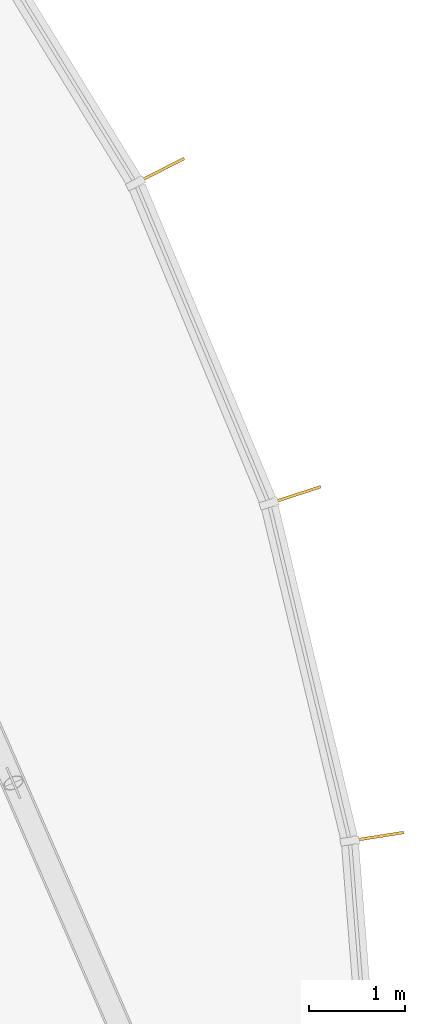
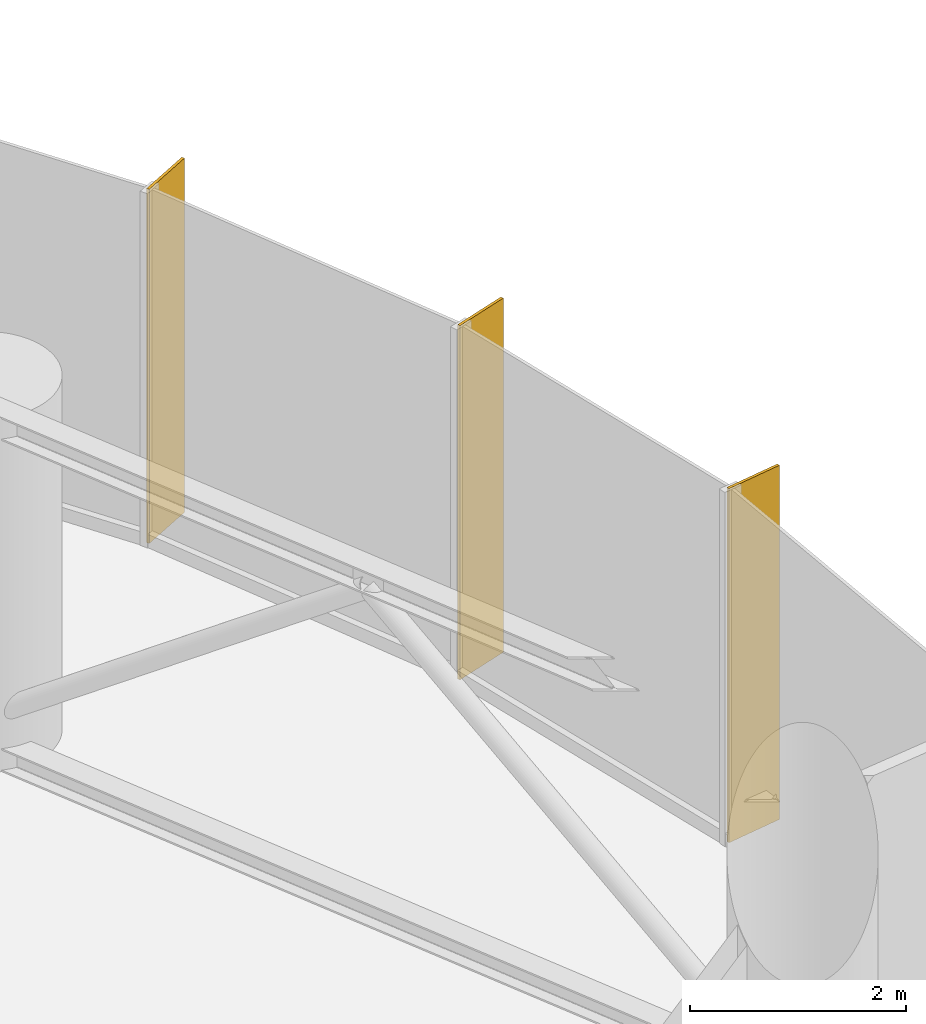
# One storey, part 42 of 42: 3 shading devices.
"""IFC4 building model written with IfcOpenShell, lengths in metres."""

from ifc_helpers import new_model, si_unit, direction, frame, origin, origin_2d, place, context, subcontext, project, spatial, rectangle, extrude, source, transform, mapped, material, material_profile, profile_set, type_object, element, save


model = new_model("IFC4")

# Units and contexts
model_context = context("Model", 3, precision=1e-05, world=origin(), true_north=direction((0.0, 1.0)))
body_context = subcontext(model_context, "Body", "Model", "MODEL_VIEW")
ifc_project = project(units=[si_unit("LENGTHUNIT", "METRE"), si_unit("AREAUNIT", "SQUARE_METRE"), si_unit("VOLUMEUNIT", "CUBIC_METRE"), si_unit("PLANEANGLEUNIT", "RADIAN"), si_unit("MASSUNIT", "GRAM", prefix="KILO")], contexts=[model_context])

# Site, building, storey
site_placement = place(None, origin())
site = spatial("IfcSite", under=ifc_project, at=site_placement, CompositionType="ELEMENT")
building_placement = place(site_placement, origin())
building = spatial("IfcBuilding", under=site, at=building_placement, Name="Spindrift Exchange Tower", CompositionType="ELEMENT")
storey_placement = place(building_placement, frame((0.0, 0.0, 75.39990234375)))
storey = spatial("IfcBuildingStorey", under=building, at=storey_placement, Name="L17", CompositionType="ELEMENT", Elevation=75.39990234375)

# Shading devices
ifc_material = material(Name="Bronze anodised aluminium", Category="aluminium")
ifc_material_profile = material_profile(ifc_material, rectangle(XDim=0.030029296875, YDim=0.60009765625, at=origin_2d()), Name="WIND FIN 30X600")
ifc_profile_set = profile_set([ifc_material_profile], Name="Bronze anodised aluminium")
shading_device_type = type_object("IfcShadingDeviceType", Name="WIND FIN 30X600", PredefinedType="USERDEFINED", material=ifc_profile_set)
shared_shape = source(origin(), body_context, "Body", "SweptSolid", [
    extrude(rectangle(XDim=0.030029296875, YDim=0.60009765625, at=origin_2d()), origin(), (0.0, 0.0, 1.0), 4.0),
])
for number, where, z_axis, x_axis, name in (
    (1, (88.720458984375, 59.962646484375, 0.0), (0.0, 0.0, 1.0), (-0.309757219093, 0.950815684147, 0.0), "L17 wind fin 2"),
    (2, (87.310546875, 63.347900390625, 0.0), (0.0, 0.0, 1.0), (-0.455742217776, 0.89011180811, 0.0), "L17 wind fin 3"),
    (3, (89.5751953125, 56.396484375, 0.0), (0.0, 0.0, 1.0), (-0.156022453359, 0.98775350875, 0.0), "L17 wind fin 4"),
):
    element("IfcShadingDevice", number, at=place(storey_placement, frame(where, z_axis=z_axis, x_axis=x_axis)), inside=storey, type_object=shading_device_type, Name=name, ObjectType="FIN", PredefinedType="USERDEFINED", context=body_context, shape_type="MappedRepresentation", body=[
        mapped(shared_shape, transform((0.0, 0.0, 0.0), scale=1.0)),
    ])

save(model, "model.ifc")
